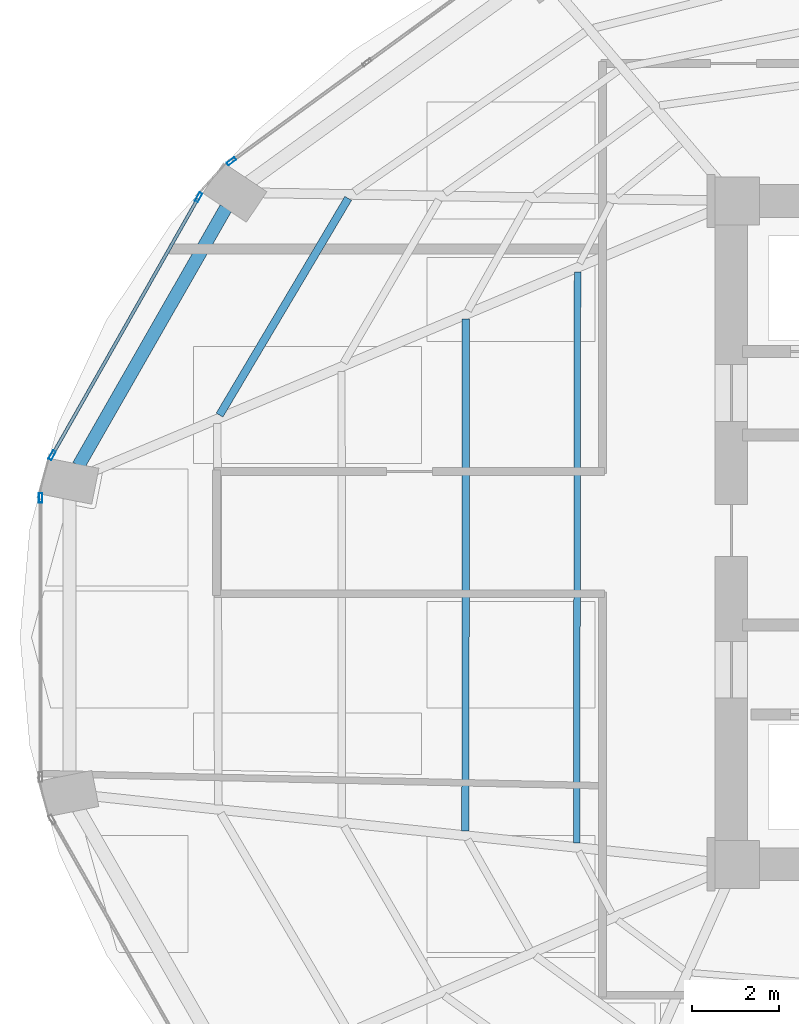
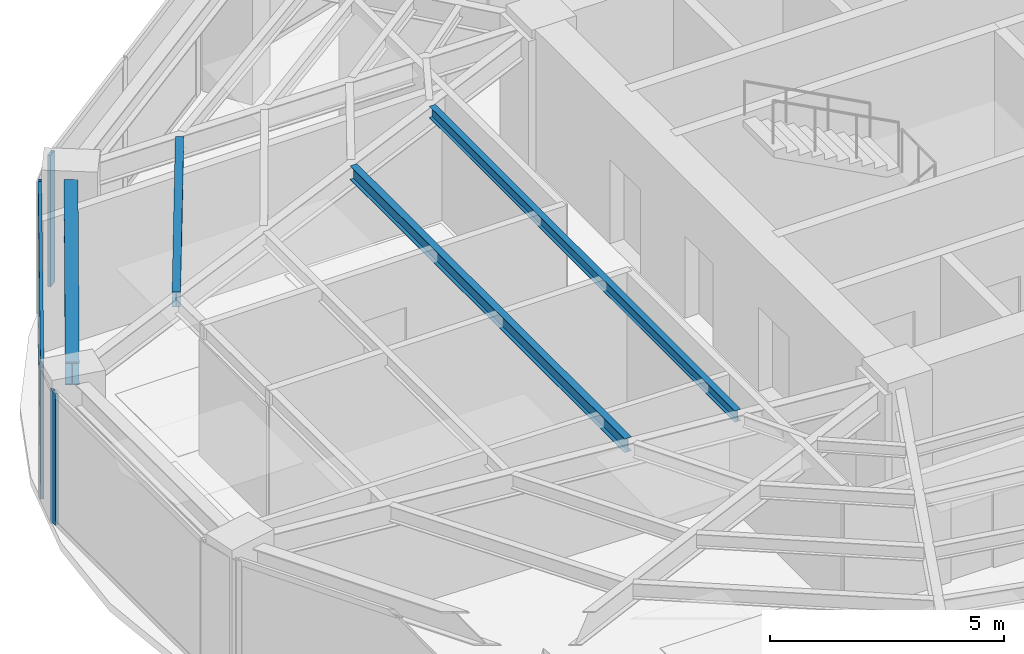
# One storey, part 8 of 23: 6 members, 4 beams, 3 elements without a shape of their own.
"""IFC4 building model written with IfcOpenShell, lengths in metres."""

from ifc_helpers import new_model, si_unit, direction, frame, origin, origin_2d, place, context, subcontext, project, spatial, hollow_rectangle, i_section, extrude, material, layer, layer_set, material_profile, profile_set, type_object, element, aggregate, save


model = new_model("IFC4")

# Units and contexts
model_context = context("Model", 3, precision=1e-05, world=origin(), true_north=direction((0.0, 1.0)))
body_context = subcontext(model_context, "Body", "Model", "MODEL_VIEW")
ifc_project = project(units=[si_unit("LENGTHUNIT", "METRE"), si_unit("AREAUNIT", "SQUARE_METRE"), si_unit("VOLUMEUNIT", "CUBIC_METRE"), si_unit("PLANEANGLEUNIT", "RADIAN"), si_unit("MASSUNIT", "GRAM", prefix="KILO")], contexts=[model_context])

# Site, building, storey
site_placement = place(None, origin())
site = spatial("IfcSite", under=ifc_project, at=site_placement, CompositionType="ELEMENT")
building_placement = place(site_placement, origin())
building = spatial("IfcBuilding", under=site, at=building_placement, Name="Lazwardi Medical Tower", CompositionType="ELEMENT")
storey_placement = place(building_placement, frame((0.0, 0.0, 89.0400390625)))
storey = spatial("IfcBuildingStorey", under=building, at=storey_placement, Name="L22", CompositionType="ELEMENT", Elevation=89.0400390625)

# Beams
ifc_material_1 = material(Name="Steel S355", Category="steel")
ifc_material_profile_1 = material_profile(ifc_material_1, i_section(OverallWidth=0.300048828125, OverallDepth=0.60009765625, WebThickness=0.015380859375, FlangeThickness=0.030029296875, at=origin_2d()), Name="HEB 600")
ifc_profile_set_1 = profile_set([ifc_material_profile_1], Name="Steel S355")
beam_type_1 = type_object("IfcBeamType", Name="BM-RB-Z2", PredefinedType="BEAM", material=ifc_profile_set_1)
beam_1_placement = place(storey_placement, frame((14.718505859375, 35.438720703125, 3.1279296875), z_axis=(-0.496653025517, -0.867949176072, 0.0), x_axis=(0.867949176072, -0.496653025517, 0.0)))
element("IfcBeam", 1, at=beam_1_placement, inside=storey, type_object=beam_type_1, Name="Ring beam RB-03 B11 L22", PredefinedType="BEAM", context=body_context, shape_type="SweptSolid", body=[
    extrude(i_section(OverallWidth=0.300048828125, OverallDepth=0.60009765625, WebThickness=0.015380859375, FlangeThickness=0.030029296875, at=origin_2d()), origin(), (0.0, 0.0, 1.0), 6.80078125),
])
ifc_material_profile_2 = material_profile(ifc_material_1, i_section(OverallWidth=0.179931640625, OverallDepth=0.39990234375, WebThickness=0.008544921875, FlangeThickness=0.013427734375, at=origin_2d()), Name="IPE 400")
ifc_profile_set_2 = profile_set([ifc_material_profile_2], Name="Steel S355")
beam_type_2 = type_object("IfcBeamType", Name="BM-SJ-01", PredefinedType="JOIST", material=ifc_profile_set_2)
beam_2_placement = place(storey_placement, frame((17.52099609375, 35.659423828125, 3.22802734375), z_axis=(-0.510499691073, -0.859877936346, 0.0), x_axis=(0.859877936346, -0.510499691073, 0.0)))
element("IfcBeam", 2, at=beam_2_placement, inside=storey, type_object=beam_type_2, Name="Secondary joist SJ-01 R1 B11 L22", PredefinedType="JOIST", context=body_context, shape_type="SweptSolid", body=[
    extrude(i_section(OverallWidth=0.179931640625, OverallDepth=0.39990234375, WebThickness=0.008544921875, FlangeThickness=0.013427734375, at=origin_2d()), origin(), (0.0, 0.0, 1.0), 5.776123046875),
])
ifc_material_profile_3 = material_profile(ifc_material_1, i_section(OverallWidth=0.169921875, OverallDepth=0.360107421875, WebThickness=0.008056640625, FlangeThickness=0.0126953125, at=origin_2d()), Name="IPE 360")
ifc_profile_set_3 = profile_set([ifc_material_profile_3], Name="Steel S355")
beam_type_3 = type_object("IfcBeamType", Name="BM-SJ-02", PredefinedType="JOIST", material=ifc_profile_set_3)
beam_3_placement = place(storey_placement, frame((20.212890625, 32.892578125, 3.248046875), z_axis=(-0.000561961365, -0.9999998421, 0.0), x_axis=(0.9999998421, -0.000561961365, 0.0)))
element("IfcBeam", 3, at=beam_3_placement, inside=storey, type_object=beam_type_3, Name="Secondary joist SJ-02 R3 B12 L22", PredefinedType="JOIST", context=body_context, shape_type="SweptSolid", body=[
    extrude(i_section(OverallWidth=0.169921875, OverallDepth=0.360107421875, WebThickness=0.008056640625, FlangeThickness=0.0126953125, at=origin_2d()), origin(), (0.0, 0.0, 1.0), 11.72998046875),
])
ifc_material_profile_4 = material_profile(ifc_material_1, i_section(OverallWidth=0.14990234375, OverallDepth=0.300048828125, WebThickness=0.007080078125, FlangeThickness=0.0107421875, at=origin_2d()), Name="IPE 300")
ifc_profile_set_4 = profile_set([ifc_material_profile_4], Name="Steel S355")
beam_type_4 = type_object("IfcBeamType", Name="BM-SJ-03", PredefinedType="JOIST", material=ifc_profile_set_4)
beam_4_placement = place(storey_placement, frame((22.77490234375, 33.97021484375, 3.278076171875), z_axis=(-0.00156809843, -0.999998770533, 0.0), x_axis=(0.999998770533, -0.00156809843, 0.0)))
element("IfcBeam", 4, at=beam_4_placement, inside=storey, type_object=beam_type_4, Name="Secondary joist SJ-03 R4 B12 L22", PredefinedType="JOIST", context=body_context, shape_type="SweptSolid", body=[
    extrude(i_section(OverallWidth=0.14990234375, OverallDepth=0.300048828125, WebThickness=0.007080078125, FlangeThickness=0.0107421875, at=origin_2d()), origin(), (0.0, 0.0, 1.0), 13.078125),
])

# Curtain wall, member
ifc_material_2 = material(Name="Anodised bronze aluminium and solar control glazing", Category="aluminium")
ifc_layer = layer(ifc_material_2, 0.195068359375)
ifc_layer_set = layer_set([ifc_layer], Name="Anodised bronze aluminium and solar control glazing")
curtain_wall_type = type_object("IfcCurtainWallType", Name="CW-SYS-03", PredefinedType="NOTDEFINED", material=ifc_layer_set)
curtain_wall_1_placement = place(storey_placement, origin())
curtain_wall_1 = element("IfcCurtainWall", 5, at=curtain_wall_1_placement, inside=storey, type_object=curtain_wall_type, Name="L22 Unitised bronze curtain wall CW-03", PredefinedType="NOTDEFINED")
ifc_material_3 = material(Name="Anodised bronze aluminium", Category="aluminium")
ifc_material_profile_5 = material_profile(ifc_material_3, hollow_rectangle(XDim=0.074951171875, YDim=0.219970703125, WallThickness=0.00390625, at=origin_2d()), Name="ALU-MULLION 220x75x4")
ifc_profile_set_5 = profile_set([ifc_material_profile_5], Name="Anodised bronze aluminium")
member_type_1 = type_object("IfcMemberType", Name="CW-MUL-01", PredefinedType="MULLION", material=ifc_profile_set_5)
member_1_placement = place(storey_placement, frame((14.844970703125, 36.5087890625, 0.0), z_axis=(0.0, 0.0, 1.0), x_axis=(0.589530882802, -0.807745837639, 0.0)))
member_1 = element("IfcMember", 6, at=member_1_placement, type_object=member_type_1, Name="CW-03 mullion 3", PredefinedType="MULLION", context=body_context, shape_type="SweptSolid", body=[
    extrude(hollow_rectangle(XDim=0.074951171875, YDim=0.219970703125, WallThickness=0.00390625, at=origin_2d()), origin(), (0.0, 0.0, 1.0), 3.427978515625),
])
aggregate(curtain_wall_1, [member_1])

# Curtain wall, members
curtain_wall_2_placement = place(storey_placement, origin())
curtain_wall_2 = element("IfcCurtainWall", 7, at=curtain_wall_2_placement, inside=storey, type_object=curtain_wall_type, Name="L22 Unitised bronze curtain wall CW-03", PredefinedType="NOTDEFINED")
member_2_placement = place(storey_placement, frame((14.0927734375, 35.685791015625, 0.0), z_axis=(0.0, 0.0, 1.0), x_axis=(0.869687265712, -0.493603140041, 0.0)))
member_2 = element("IfcMember", 8, at=member_2_placement, type_object=member_type_1, Name="CW-03 mullion 1", PredefinedType="MULLION", context=body_context, shape_type="SweptSolid", body=[
    extrude(hollow_rectangle(XDim=0.074951171875, YDim=0.219970703125, WallThickness=0.00390625, at=origin_2d()), origin(), (0.0, 0.0, 1.0), 3.427978515625),
])
member_3_placement = place(storey_placement, frame((10.7373046875, 29.77392578125, 0.0), z_axis=(0.0, 0.0, 1.0), x_axis=(0.869687265712, -0.493603140041, 0.0)))
member_3 = element("IfcMember", 9, at=member_3_placement, type_object=member_type_1, Name="CW-03 mullion 2", PredefinedType="MULLION", context=body_context, shape_type="SweptSolid", body=[
    extrude(hollow_rectangle(XDim=0.074951171875, YDim=0.219970703125, WallThickness=0.00390625, at=origin_2d()), origin(), (0.0, 0.0, 1.0), 3.427978515625),
])

# Curtain wall, member
curtain_wall_3_placement = place(storey_placement, origin())
curtain_wall_3 = element("IfcCurtainWall", 10, at=curtain_wall_3_placement, inside=storey, type_object=curtain_wall_type, Name="L22 Unitised bronze curtain wall CW-03", PredefinedType="NOTDEFINED")
member_4_placement = place(storey_placement, frame((10.471923828125, 28.79736328125, 0.0), z_axis=(0.0, 0.0, 1.0), x_axis=(1.0, 0.0, 0.0)))
member_4 = element("IfcMember", 11, at=member_4_placement, type_object=member_type_1, Name="CW-03 mullion 1", PredefinedType="MULLION", context=body_context, shape_type="SweptSolid", body=[
    extrude(hollow_rectangle(XDim=0.074951171875, YDim=0.219970703125, WallThickness=0.00390625, at=origin_2d()), origin(), (0.0, 0.0, 1.0), 3.427978515625),
])
aggregate(curtain_wall_3, [member_4])

# Member
ifc_material_profile_6 = material_profile(ifc_material_3, hollow_rectangle(XDim=0.074951171875, YDim=0.159912109375, WallThickness=0.00390625, at=origin_2d()), Name="ALU-TRANSOM 160x75x4")
ifc_profile_set_6 = profile_set([ifc_material_profile_6], Name="Anodised bronze aluminium")
member_type_2 = type_object("IfcMemberType", Name="CW-TRN-01", PredefinedType="USERDEFINED", material=ifc_profile_set_6)
member_5_placement = place(storey_placement, frame((14.074462890625, 35.6533203125, 0.037353515625), z_axis=(-0.493614427365, -0.869680859337, 0.0), x_axis=(0.869680859337, -0.493614427365, 0.0)))
member_5 = element("IfcMember", 12, at=member_5_placement, type_object=member_type_2, Name="CW-03 transom 1.1", ObjectType="TRANSOM", PredefinedType="USERDEFINED", context=body_context, shape_type="SweptSolid", body=[
    extrude(hollow_rectangle(XDim=0.074951171875, YDim=0.159912109375, WallThickness=0.00390625, at=origin_2d()), origin(), (0.0, 0.0, 1.0), 6.72314453125),
])

member_6_placement = place(storey_placement, frame((14.074462890625, 35.6533203125, 3.390380859375), z_axis=(-0.493614427365, -0.869680859337, 0.0), x_axis=(0.869680859337, -0.493614427365, 0.0)))
member_6 = element("IfcMember", 13, at=member_6_placement, type_object=member_type_2, Name="CW-03 transom 1.2", ObjectType="TRANSOM", PredefinedType="USERDEFINED", context=body_context, shape_type="SweptSolid", body=[
    extrude(hollow_rectangle(XDim=0.074951171875, YDim=0.159912109375, WallThickness=0.00390625, at=origin_2d()), origin(), (0.0, 0.0, 1.0), 6.72314453125),
])

aggregate(curtain_wall_2, [member_2, member_3, member_5, member_6])

save(model, "model.ifc")
